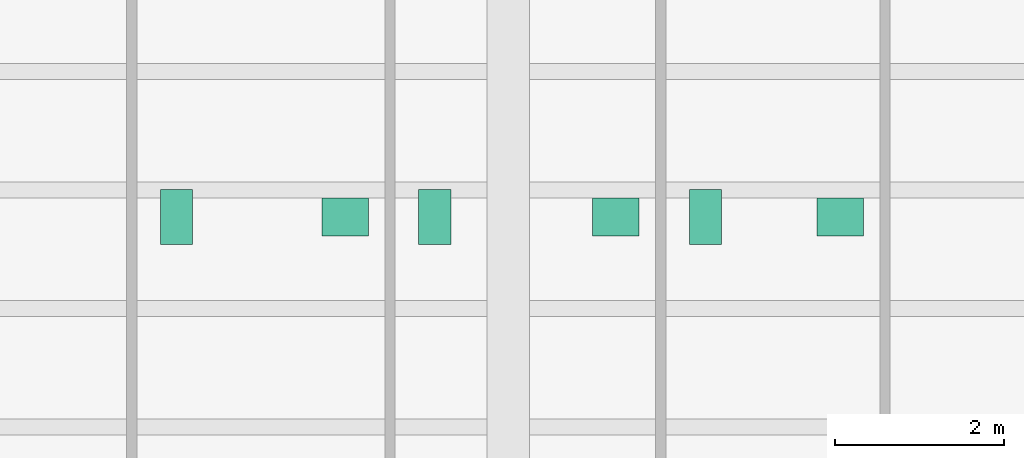
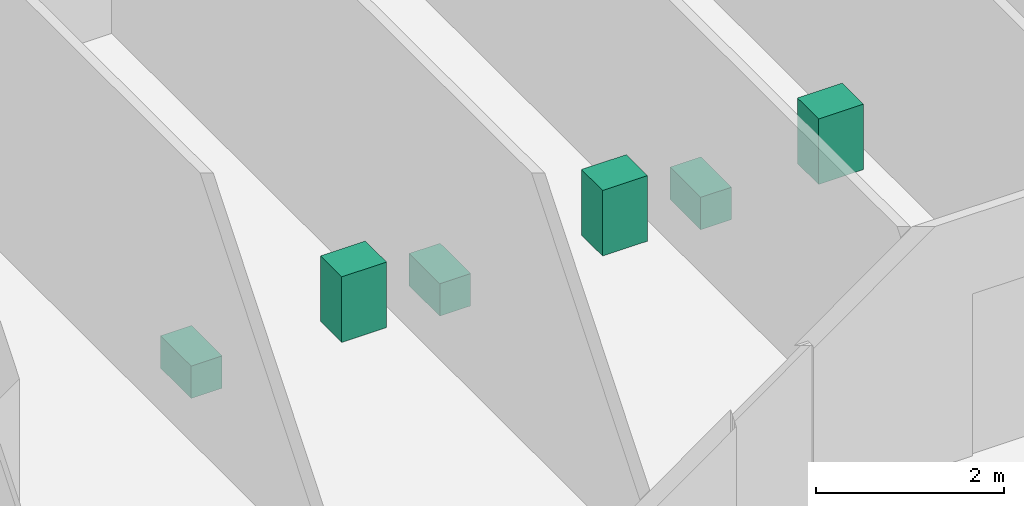
# One storey, part 9 of 9: 6 sanitary terminals.
"""IFC4 building model written with IfcOpenShell, lengths in metres."""

from ifc_helpers import new_model, si_unit, direction, frame, origin, origin_2d, place, context, subcontext, project, spatial, rectangle, extrude, material, type_object, element, save


model = new_model("IFC4")

# Units and contexts
model_context = context("Model", 3, precision=1e-05, world=origin(), true_north=direction((0.0, 1.0)))
body_context = subcontext(model_context, "Body", "Model", "MODEL_VIEW")
ifc_project = project(units=[si_unit("LENGTHUNIT", "METRE"), si_unit("AREAUNIT", "SQUARE_METRE"), si_unit("VOLUMEUNIT", "CUBIC_METRE"), si_unit("PLANEANGLEUNIT", "RADIAN"), si_unit("MASSUNIT", "GRAM", prefix="KILO")], contexts=[model_context])

# Site, building, storey
site_placement = place(None, origin())
site = spatial("IfcSite", under=ifc_project, at=site_placement, CompositionType="ELEMENT")
building_placement = place(site_placement, origin())
building = spatial("IfcBuilding", under=site, at=building_placement, Name="Kranthara Brick Stack", CompositionType="ELEMENT")
storey_placement = place(building_placement, frame((0.0, 0.0, 59.39990234375)))
storey = spatial("IfcBuildingStorey", under=building, at=storey_placement, Name="L14", CompositionType="ELEMENT", Elevation=59.39990234375)

# Sanitary terminals
ifc_material_1 = material(Name="Vitreous china sanitary porcelain", Category="other")
sanitary_terminal_type_1 = type_object("IfcSanitaryTerminalType", Name="SAN-BASIN", PredefinedType="WASHHANDBASIN", material=ifc_material_1)
for number, where, z_axis, x_axis, name in (
    (1, (26.070068359375, 29.985107421875, 0.0), (0.0, 0.0, 1.0), (1.0, 0.0, 0.0), "L14 Washbasin 42"),
    (2, (29.27001953125, 29.985107421875, 0.0), (0.0, 0.0, 1.0), (1.0, 0.0, 0.0), "L14 Washbasin 43"),
    (3, (31.919921875, 29.985107421875, 0.0), (0.0, 0.0, 1.0), (1.0, 0.0, 0.0), "L14 Washbasin 44"),
):
    element("IfcSanitaryTerminal", number, at=place(storey_placement, frame(where, z_axis=z_axis, x_axis=x_axis)), inside=storey, type_object=sanitary_terminal_type_1, Name=name, PredefinedType="WASHHANDBASIN", context=body_context, shape_type="SweptSolid", body=[
        extrude(rectangle(XDim=0.550048828125, YDim=0.449951171875, at=origin_2d()), origin(), (0.0, 0.0, 1.0), 0.85009765625),
    ])
ifc_material_2 = material(Name="Vitreous china sanitary porcelain", Category="other")
sanitary_terminal_type_2 = type_object("IfcSanitaryTerminalType", Name="SAN-WC-PAN", PredefinedType="TOILETPAN", material=ifc_material_2)
for number, where, z_axis, x_axis, name in (
    (4, (24.080078125, 29.985107421875, 0.000244140625), (0.0, 0.0, 1.0), (1.0, 0.0, 0.0), "L14 WC Pan 42"),
    (5, (27.1298828125, 29.985107421875, 0.000244140625), (0.0, 0.0, 1.0), (1.0, 0.0, 0.0), "L14 WC Pan 43"),
    (6, (30.330078125, 29.985107421875, 0.000244140625), (0.0, 0.0, 1.0), (1.0, 0.0, 0.0), "L14 WC Pan 44"),
):
    element("IfcSanitaryTerminal", number, at=place(storey_placement, frame(where, z_axis=z_axis, x_axis=x_axis)), inside=storey, type_object=sanitary_terminal_type_2, Name=name, PredefinedType="TOILETPAN", context=body_context, shape_type="SweptSolid", body=[
        extrude(rectangle(XDim=0.3798828125, YDim=0.64990234375, at=origin_2d()), origin(), (0.0, 0.0, 1.0), 0.419921875),
    ])

save(model, "model.ifc")
